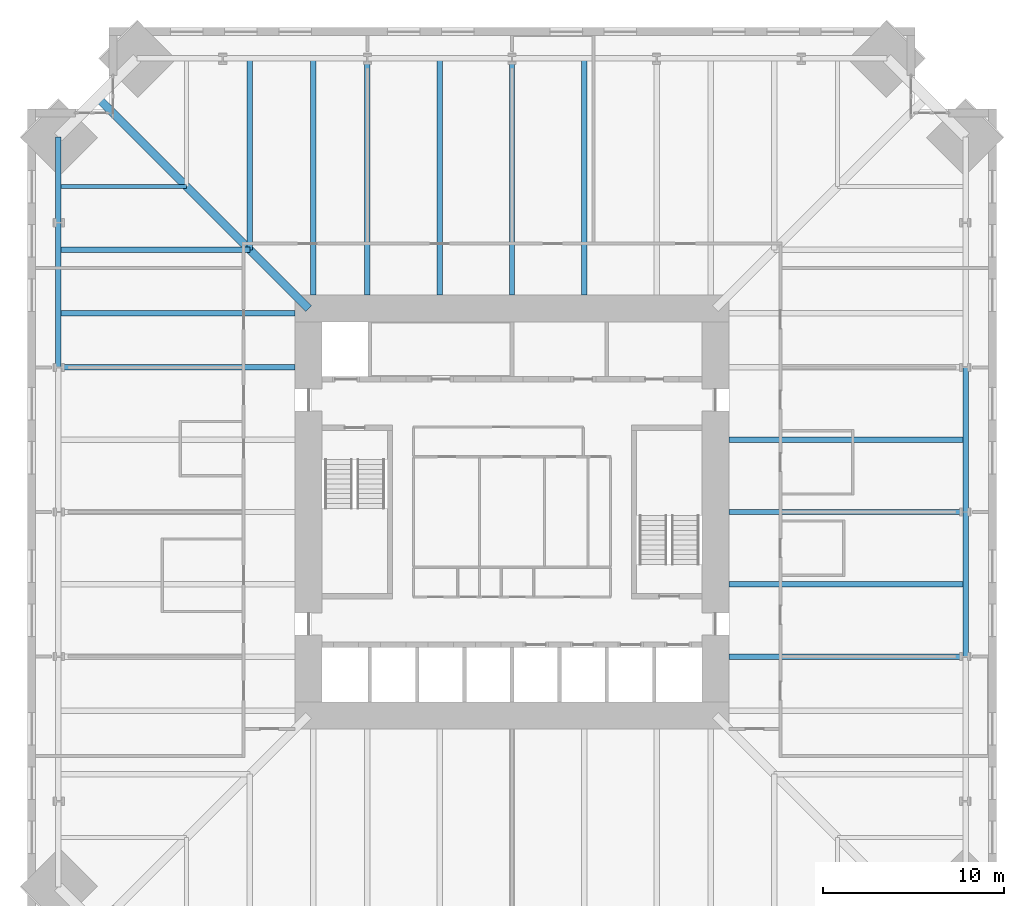
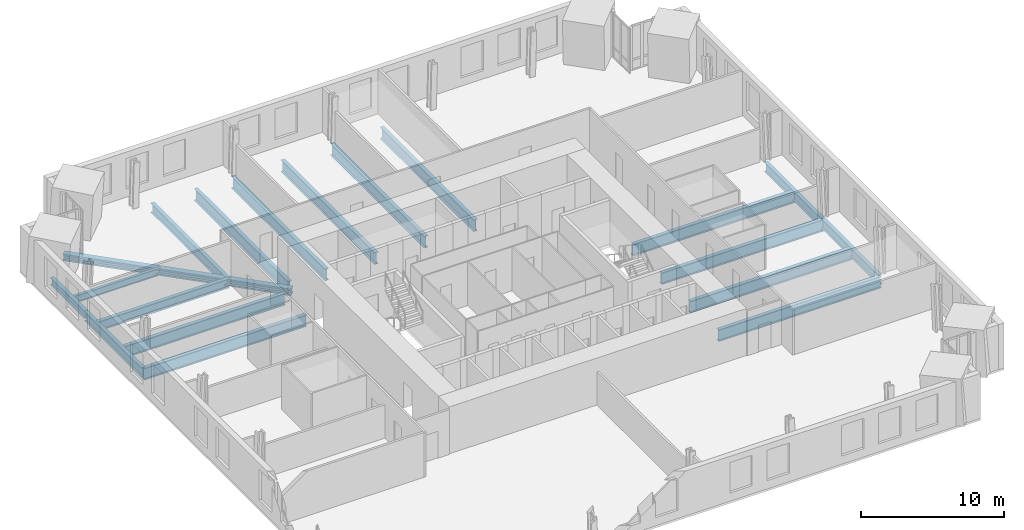
# One storey, part 5 of 17: 19 beams.
"""IFC4 building model written with IfcOpenShell, lengths in metres."""

from ifc_helpers import new_model, si_unit, direction, frame, origin, origin_2d, place, context, subcontext, project, spatial, i_section, extrude, material, material_profile, profile_set, type_object, element, save


model = new_model("IFC4")

# Units and contexts
model_context = context("Model", 3, precision=1e-05, world=origin(), true_north=direction((0.0, 1.0)))
body_context = subcontext(model_context, "Body", "Model", "MODEL_VIEW")
ifc_project = project(units=[si_unit("LENGTHUNIT", "METRE"), si_unit("AREAUNIT", "SQUARE_METRE"), si_unit("VOLUMEUNIT", "CUBIC_METRE"), si_unit("PLANEANGLEUNIT", "RADIAN"), si_unit("MASSUNIT", "GRAM", prefix="KILO")], contexts=[model_context])

# Site, building, storey
site_placement = place(None, origin())
site = spatial("IfcSite", under=ifc_project, at=site_placement, CompositionType="ELEMENT")
building_placement = place(site_placement, origin())
building = spatial("IfcBuilding", under=site, at=building_placement, Name="Peilmerk Tower", CompositionType="ELEMENT")
storey_placement = place(building_placement, frame((0.0, 0.0, 143.800048828125)))
storey = spatial("IfcBuildingStorey", under=building, at=storey_placement, Name="L29", CompositionType="ELEMENT", Elevation=143.800048828125)

# Beams
ifc_material_1 = material(Name="Steel S355", Category="steel")
ifc_material_profile_1 = material_profile(ifc_material_1, i_section(OverallWidth=0.219970703125, OverallDepth=0.60009765625, WebThickness=0.011962890625, FlangeThickness=0.01904296875, at=origin_2d()), Name="IPE 600")
ifc_profile_set_1 = profile_set([ifc_material_profile_1], Name="Steel S355")
beam_type_1 = type_object("IfcBeamType", Name="B10 IPE 600 floor beam", PredefinedType="BEAM", material=ifc_profile_set_1)
beam_1_placement = place(storey_placement, frame((-18.0, 18.0, -0.469970703125), z_axis=(-1.0, 0.0, 0.0), x_axis=(0.0, -1.0, 0.0)))
element("IfcBeam", 1, at=beam_1_placement, inside=storey, type_object=beam_type_1, Name="Floor beam L29", PredefinedType="BEAM", context=body_context, shape_type="SweptSolid", body=[
    extrude(i_section(OverallWidth=0.219970703125, OverallDepth=0.60009765625, WebThickness=0.011962890625, FlangeThickness=0.01904296875, at=origin_2d()), origin(), (0.0, 0.0, 1.0), 7.098388671875),
])
ifc_material_profile_2 = material_profile(ifc_material_1, i_section(OverallWidth=0.302978515625, OverallDepth=0.81396484375, WebThickness=0.02099609375, FlangeThickness=0.0400390625, at=origin_2d()), Name="HEM 800")
ifc_profile_set_2 = profile_set([ifc_material_profile_2], Name="Steel S355")
beam_type_2 = type_object("IfcBeamType", Name="B15 HEM 800 edge beam", PredefinedType="SPANDREL", material=ifc_profile_set_2)
for number, where, z_axis, x_axis, name in (
    (2, (25.098388671875, -8.0, -0.5771484375), (0.0, 1.0, 0.0), (-1.0, 0.0, 0.0), "Edge beam L29"),
    (3, (25.098388671875, 0.0, -0.5771484375), (0.0, 1.0, 0.0), (-1.0, 0.0, 0.0), "Edge beam L29"),
    (4, (-25.098388671875, 16.0, -0.5771484375), (0.0, -1.0, 0.0), (1.0, 0.0, 0.0), "Edge beam L29"),
):
    element("IfcBeam", number, at=place(storey_placement, frame(where, z_axis=z_axis, x_axis=x_axis)), inside=storey, type_object=beam_type_2, Name=name, PredefinedType="SPANDREL", context=body_context, shape_type="SweptSolid", body=[
        extrude(i_section(OverallWidth=0.302978515625, OverallDepth=0.81396484375, WebThickness=0.02099609375, FlangeThickness=0.0400390625, at=origin_2d()), origin(), (0.0, 0.0, 1.0), 8.0),
    ])
ifc_material_profile_3 = material_profile(ifc_material_1, i_section(OverallWidth=0.300048828125, OverallDepth=0.7900390625, WebThickness=0.014892578125, FlangeThickness=0.028076171875, at=origin_2d()), Name="HEA 800")
ifc_profile_set_3 = profile_set([ifc_material_profile_3], Name="Steel S355")
beam_type_3 = type_object("IfcBeamType", Name="B3 HEA 800 floor beam", PredefinedType="BEAM", material=ifc_profile_set_3)
for number, where, z_axis, x_axis, name in (
    (5, (-14.5, 14.5, -0.56494140625), (0.0, 1.0, 0.0), (-1.0, 0.0, 0.0), "Floor beam L29"),
    (6, (-14.5, 14.5, -0.56494140625), (-1.0, 0.0, 0.0), (0.0, -1.0, 0.0), "Floor beam L29"),
):
    element("IfcBeam", number, at=place(storey_placement, frame(where, z_axis=z_axis, x_axis=x_axis)), inside=storey, type_object=beam_type_3, Name=name, PredefinedType="BEAM", context=body_context, shape_type="SweptSolid", body=[
        extrude(i_section(OverallWidth=0.300048828125, OverallDepth=0.7900390625, WebThickness=0.014892578125, FlangeThickness=0.028076171875, at=origin_2d()), origin(), (0.0, 0.0, 1.0), 10.598388671875),
    ])
ifc_material_profile_4 = material_profile(ifc_material_1, i_section(OverallWidth=0.304931640625, OverallDepth=0.6201171875, WebThickness=0.02099609375, FlangeThickness=0.0400390625, at=origin_2d()), Name="HEM 600")
ifc_profile_set_4 = profile_set([ifc_material_profile_4], Name="Steel S355")
beam_type_4 = type_object("IfcBeamType", Name="B31 HEM 600 edge beam", PredefinedType="SPANDREL", material=ifc_profile_set_4)
beam_2_placement = place(storey_placement, frame((-25.098388671875, 20.748291015625, -0.47998046875), z_axis=(0.0, -1.0, 0.0), x_axis=(1.0, 0.0, 0.0)))
element("IfcBeam", 7, at=beam_2_placement, inside=storey, type_object=beam_type_4, Name="Edge beam L29", PredefinedType="SPANDREL", context=body_context, shape_type="SweptSolid", body=[
    extrude(i_section(OverallWidth=0.304931640625, OverallDepth=0.6201171875, WebThickness=0.02099609375, FlangeThickness=0.0400390625, at=origin_2d()), origin(), (0.0, 0.0, 1.0), 4.748291015625),
])
ifc_material_profile_5 = material_profile(ifc_material_1, i_section(OverallWidth=0.300048828125, OverallDepth=1.0, WebThickness=0.01904296875, FlangeThickness=0.035888671875, at=origin_2d()), Name="HEB 1000")
ifc_profile_set_5 = profile_set([ifc_material_profile_5], Name="Steel S355")
beam_type_5 = type_object("IfcBeamType", Name="B5 HEB 1000 floor girder", PredefinedType="BEAM", material=ifc_profile_set_5)
for number, where, z_axis, x_axis, name in (
    (8, (4.0, 12.0, -0.670166015625), (0.0, 1.0, 0.0), (-1.0, 0.0, 0.0), "Floor beam L29"),
    (9, (0.0, 12.0, -0.670166015625), (0.0, 1.0, 0.0), (-1.0, 0.0, 0.0), "Floor beam L29"),
    (10, (-4.0, 12.0, -0.670166015625), (0.0, 1.0, 0.0), (-1.0, 0.0, 0.0), "Floor beam L29"),
    (11, (-8.0, 12.0, -0.670166015625), (0.0, 1.0, 0.0), (-1.0, 0.0, 0.0), "Floor beam L29"),
    (12, (-11.0, 12.0, -0.670166015625), (0.0, 1.0, 0.0), (-1.0, 0.0, 0.0), "Floor beam L29"),
    (13, (12.0, -8.0, -0.670166015625), (1.0, 0.0, 0.0), (0.0, 1.0, 0.0), "Floor beam L29"),
    (14, (12.0, -4.0, -0.670166015625), (1.0, 0.0, 0.0), (0.0, 1.0, 0.0), "Floor beam L29"),
    (15, (12.0, 0.0, -0.670166015625), (1.0, 0.0, 0.0), (0.0, 1.0, 0.0), "Floor beam L29"),
    (16, (12.0, 4.0, -0.670166015625), (1.0, 0.0, 0.0), (0.0, 1.0, 0.0), "Floor beam L29"),
    (17, (-12.0, 11.0, -0.670166015625), (-1.0, 0.0, 0.0), (0.0, -1.0, 0.0), "Floor beam L29"),
    (18, (-12.0, 8.0, -0.670166015625), (-1.0, 0.0, 0.0), (0.0, -1.0, 0.0), "Floor beam L29"),
):
    element("IfcBeam", number, at=place(storey_placement, frame(where, z_axis=z_axis, x_axis=x_axis)), inside=storey, type_object=beam_type_5, Name=name, PredefinedType="BEAM", context=body_context, shape_type="SweptSolid", body=[
        extrude(i_section(OverallWidth=0.300048828125, OverallDepth=1.0, WebThickness=0.01904296875, FlangeThickness=0.035888671875, at=origin_2d()), origin(), (0.0, 0.0, 1.0), 13.098388671875),
    ])
ifc_material_2 = material(Name="Steel S460", Category="steel")
ifc_material_profile_6 = material_profile(ifc_material_2, i_section(OverallWidth=0.4541015625, OverallDepth=0.569091796875, WebThickness=0.077880859375, FlangeThickness=0.125, at=origin_2d()), Name="HD 400x1086")
ifc_profile_set_6 = profile_set([ifc_material_profile_6], Name="Steel S460")
beam_type_6 = type_object("IfcBeamType", Name="B9 HD 400x1086 corner girder", PredefinedType="BEAM", material=ifc_profile_set_6)
beam_3_placement = place(storey_placement, frame((-11.25, 11.25, -0.45458984375), z_axis=(-0.707106781187, 0.707106781187, 0.0), x_axis=(-0.707106781187, -0.707106781187, 0.0)))
element("IfcBeam", 19, at=beam_3_placement, inside=storey, type_object=beam_type_6, Name="Corner girder L29", PredefinedType="BEAM", context=body_context, shape_type="SweptSolid", body=[
    extrude(i_section(OverallWidth=0.4541015625, OverallDepth=0.569091796875, WebThickness=0.077880859375, FlangeThickness=0.125, at=origin_2d()), origin(), (0.0, 0.0, 1.0), 16.508544921875),
])

save(model, "model.ifc")
